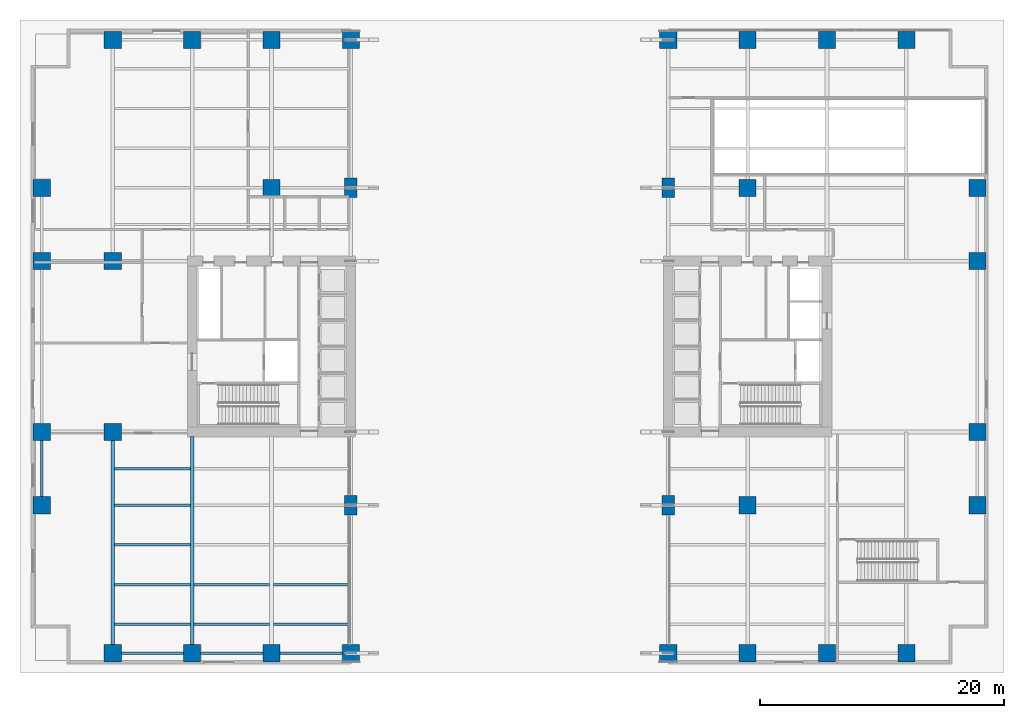
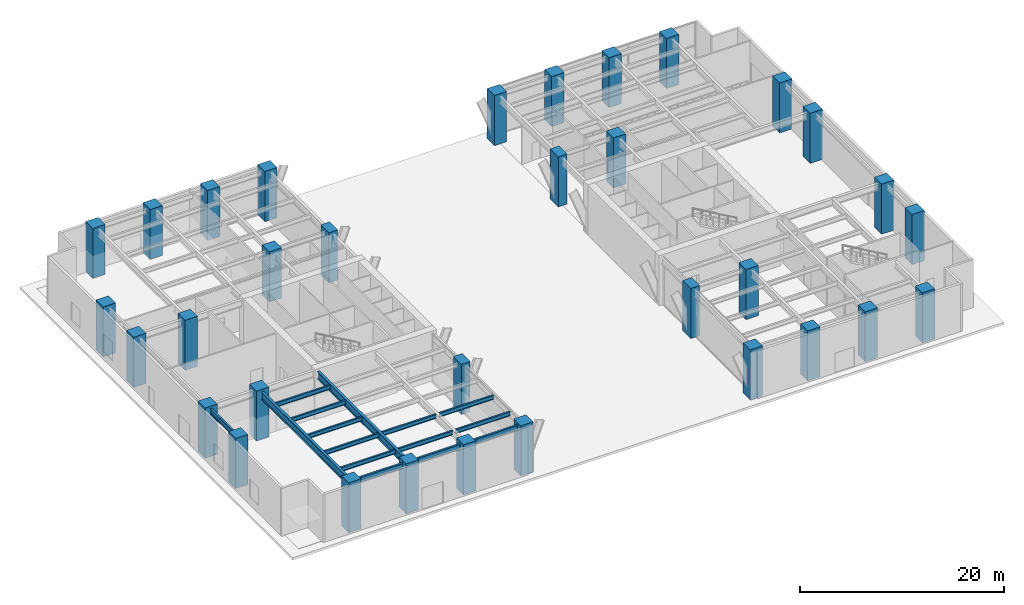
# One storey, part 1 of 20: 33 columns, 15 beams.
"""IFC4 building model written with IfcOpenShell, lengths in metres."""

from ifc_helpers import new_model, si_unit, direction, frame, origin, origin_2d, place, context, subcontext, project, spatial, rectangle, i_section, extrude, material, material_profile, profile_set, type_object, element, save


model = new_model("IFC4")

# Units and contexts
model_context = context("Model", 3, precision=1e-05, world=origin(), true_north=direction((0.0, 1.0)))
body_context = subcontext(model_context, "Body", "Model", "MODEL_VIEW")
ifc_project = project(units=[si_unit("LENGTHUNIT", "METRE"), si_unit("AREAUNIT", "SQUARE_METRE"), si_unit("VOLUMEUNIT", "CUBIC_METRE"), si_unit("PLANEANGLEUNIT", "RADIAN"), si_unit("MASSUNIT", "GRAM", prefix="KILO")], contexts=[model_context])

# Site, building, storey
site_placement = place(None, origin())
site = spatial("IfcSite", under=ifc_project, at=site_placement, CompositionType="ELEMENT")
building_placement = place(site_placement, origin())
building = spatial("IfcBuilding", under=site, at=building_placement, Name="Putna Gate Headquarters", CompositionType="ELEMENT")
storey_placement = place(building_placement, origin())
storey = spatial("IfcBuildingStorey", under=building, at=storey_placement, Name="L00", CompositionType="ELEMENT", Elevation=0.0)

# Columns
ifc_material_1 = material(Name="Concrete C60/75", Category="concrete")
ifc_material_profile_1 = material_profile(ifc_material_1, rectangle(XDim=1.0, YDim=1.60009765625, at=origin_2d()), Name="Concrete C60/75")
ifc_profile_set_1 = profile_set([ifc_material_profile_1], Name="Concrete C60/75")
column_type_1 = type_object("IfcColumnType", Name="COL-PILASTER-1600", PredefinedType="PILASTER", material=ifc_profile_set_1)
for number, where, z_axis, x_axis, name in (
    (1, (26.0, 13.0, 0.0), (0.0, 0.0, 1.0), (1.0, 0.0, 0.0), "L00 Column CAP-WS"),
    (2, (26.0, 39.0, 0.0), (0.0, 0.0, 1.0), (1.0, 0.0, 0.0), "L00 Column CAP-WN"),
    (3, (52.0, 13.0, 0.0), (0.0, 0.0, 1.0), (1.0, 0.0, 0.0), "L00 Column CAP-ES"),
    (4, (52.0, 39.0, 0.0), (0.0, 0.0, 1.0), (1.0, 0.0, 0.0), "L00 Column CAP-EN"),
):
    element("IfcColumn", number, at=place(storey_placement, frame(where, z_axis=z_axis, x_axis=x_axis)), inside=storey, type_object=column_type_1, Name=name, PredefinedType="PILASTER", context=body_context, shape_type="SweptSolid", body=[
        extrude(rectangle(XDim=1.0, YDim=1.60009765625, at=origin_2d()), origin(), (0.0, 0.0, 1.0), 6.0),
    ])
ifc_material_profile_2 = material_profile(ifc_material_1, rectangle(XDim=1.39990234375, YDim=1.39990234375, at=origin_2d()), Name="Concrete C60/75")
ifc_profile_set_2 = profile_set([ifc_material_profile_2], Name="Concrete C60/75")
column_type_2 = type_object("IfcColumnType", Name="COL-RC1400-EXT", PredefinedType="COLUMN", material=ifc_profile_set_2)
for number, where, z_axis, x_axis, name in (
    (5, (6.5, 0.8798828125, 0.0), (0.0, 0.0, 1.0), (1.0, 0.0, 0.0), "L00 Column CP-S6"),
    (6, (6.5, 51.1201171875, 0.0), (0.0, 0.0, 1.0), (1.0, 0.0, 0.0), "L00 Column CP-N6"),
    (7, (13.0, 0.8798828125, 0.0), (0.0, 0.0, 1.0), (1.0, 0.0, 0.0), "L00 Column CP-S13"),
    (8, (13.0, 51.1201171875, 0.0), (0.0, 0.0, 1.0), (1.0, 0.0, 0.0), "L00 Column CP-N13"),
    (9, (19.5, 0.8798828125, 0.0), (0.0, 0.0, 1.0), (1.0, 0.0, 0.0), "L00 Column CP-S19"),
    (10, (19.5, 51.1201171875, 0.0), (0.0, 0.0, 1.0), (1.0, 0.0, 0.0), "L00 Column CP-N19"),
    (11, (26.0, 0.8798828125, 0.0), (0.0, 0.0, 1.0), (1.0, 0.0, 0.0), "L00 Column CP-S26"),
    (12, (26.0, 51.1201171875, 0.0), (0.0, 0.0, 1.0), (1.0, 0.0, 0.0), "L00 Column CP-N26"),
    (13, (52.0, 0.8798828125, 0.0), (0.0, 0.0, 1.0), (1.0, 0.0, 0.0), "L00 Column CP-S52"),
    (14, (52.0, 51.1201171875, 0.0), (0.0, 0.0, 1.0), (1.0, 0.0, 0.0), "L00 Column CP-N52"),
    (15, (58.5, 0.8798828125, 0.0), (0.0, 0.0, 1.0), (1.0, 0.0, 0.0), "L00 Column CP-S58"),
    (16, (58.5, 51.1201171875, 0.0), (0.0, 0.0, 1.0), (1.0, 0.0, 0.0), "L00 Column CP-N58"),
    (17, (65.0, 0.8798828125, 0.0), (0.0, 0.0, 1.0), (1.0, 0.0, 0.0), "L00 Column CP-S65"),
    (18, (65.0, 51.1201171875, 0.0), (0.0, 0.0, 1.0), (1.0, 0.0, 0.0), "L00 Column CP-N65"),
    (19, (71.5, 0.8798828125, 0.0), (0.0, 0.0, 1.0), (1.0, 0.0, 0.0), "L00 Column CP-S71"),
    (20, (71.5, 51.1201171875, 0.0), (0.0, 0.0, 1.0), (1.0, 0.0, 0.0), "L00 Column CP-N71"),
    (21, (0.679931640625, 13.0, 0.0), (0.0, 0.0, 1.0), (1.0, 0.0, 0.0), "L00 Column CP-W13"),
    (22, (77.320068359375, 13.0, 0.0), (0.0, 0.0, 1.0), (1.0, 0.0, 0.0), "L00 Column CP-E13"),
    (23, (0.679931640625, 19.0, 0.0), (0.0, 0.0, 1.0), (1.0, 0.0, 0.0), "L00 Column CP-W19"),
    (24, (77.320068359375, 19.0, 0.0), (0.0, 0.0, 1.0), (1.0, 0.0, 0.0), "L00 Column CP-E19"),
    (25, (0.679931640625, 33.0, 0.0), (0.0, 0.0, 1.0), (1.0, 0.0, 0.0), "L00 Column CP-W33"),
    (26, (77.320068359375, 33.0, 0.0), (0.0, 0.0, 1.0), (1.0, 0.0, 0.0), "L00 Column CP-E33"),
    (27, (0.679931640625, 39.0, 0.0), (0.0, 0.0, 1.0), (1.0, 0.0, 0.0), "L00 Column CP-W39"),
    (28, (77.320068359375, 39.0, 0.0), (0.0, 0.0, 1.0), (1.0, 0.0, 0.0), "L00 Column CP-E39"),
):
    element("IfcColumn", number, at=place(storey_placement, frame(where, z_axis=z_axis, x_axis=x_axis)), inside=storey, type_object=column_type_2, Name=name, PredefinedType="COLUMN", context=body_context, shape_type="SweptSolid", body=[
        extrude(rectangle(XDim=1.39990234375, YDim=1.39990234375, at=origin_2d()), origin(), (0.0, 0.0, 1.0), 6.0),
    ])
ifc_material_profile_3 = material_profile(ifc_material_1, rectangle(XDim=1.39990234375, YDim=1.39990234375, at=origin_2d()), Name="Concrete C60/75")
ifc_profile_set_3 = profile_set([ifc_material_profile_3], Name="Concrete C60/75")
column_type_3 = type_object("IfcColumnType", Name="COL-RC1400-INT", PredefinedType="COLUMN", material=ifc_profile_set_3)
for number, where, z_axis, x_axis, name in (
    (29, (19.5, 39.0, 0.0), (0.0, 0.0, 1.0), (1.0, 0.0, 0.0), "L00 Column CSI-WN"),
    (30, (58.5, 13.0, 0.0), (0.0, 0.0, 1.0), (1.0, 0.0, 0.0), "L00 Column CSI-ES"),
    (31, (58.5, 39.0, 0.0), (0.0, 0.0, 1.0), (1.0, 0.0, 0.0), "L00 Column CSI-EN"),
    (32, (6.5, 19.0, 0.0), (0.0, 0.0, 1.0), (1.0, 0.0, 0.0), "L00 Column CSI-WM"),
    (33, (6.5, 33.0, 0.0), (0.0, 0.0, 1.0), (1.0, 0.0, 0.0), "L00 Column CSI-WNW"),
):
    element("IfcColumn", number, at=place(storey_placement, frame(where, z_axis=z_axis, x_axis=x_axis)), inside=storey, type_object=column_type_3, Name=name, PredefinedType="COLUMN", context=body_context, shape_type="SweptSolid", body=[
        extrude(rectangle(XDim=1.39990234375, YDim=1.39990234375, at=origin_2d()), origin(), (0.0, 0.0, 1.0), 6.0),
    ])

# Beams
ifc_material_2 = material(Name="Steel S355J2", Category="steel")
ifc_material_profile_4 = material_profile(ifc_material_2, i_section(OverallWidth=0.300048828125, OverallDepth=0.89990234375, WebThickness=0.0185546875, FlangeThickness=0.034912109375, at=origin_2d()), Name="Steel S355J2")
ifc_profile_set_4 = profile_set([ifc_material_profile_4], Name="Steel S355J2")
beam_type_1 = type_object("IfcBeamType", Name="BM-SEC-AUD-HEB900", PredefinedType="USERDEFINED", material=ifc_profile_set_4)
beam_1_placement = place(storey_placement, frame((6.5, 1.568115234375, 5.27001953125), z_axis=(0.0, 1.0, 0.0), x_axis=(-1.0, 0.0, 0.0)))
element("IfcBeam", 34, at=beam_1_placement, inside=storey, type_object=beam_type_1, Name="L00 South Primary Girder X6", ObjectType="GIRDER", PredefinedType="USERDEFINED", context=body_context, shape_type="SweptSolid", body=[
    extrude(i_section(OverallWidth=0.300048828125, OverallDepth=0.89990234375, WebThickness=0.0185546875, FlangeThickness=0.034912109375, at=origin_2d()), origin(), (0.0, 0.0, 1.0), 16.743896484375),
])
beam_2_placement = place(storey_placement, frame((13.0, 1.568115234375, 5.27001953125), z_axis=(0.0, 1.0, 0.0), x_axis=(-1.0, 0.0, 0.0)))
element("IfcBeam", 35, at=beam_2_placement, inside=storey, type_object=beam_type_1, Name="L00 South Primary Girder X13", ObjectType="GIRDER", PredefinedType="USERDEFINED", context=body_context, shape_type="SweptSolid", body=[
    extrude(i_section(OverallWidth=0.300048828125, OverallDepth=0.89990234375, WebThickness=0.0185546875, FlangeThickness=0.034912109375, at=origin_2d()), origin(), (0.0, 0.0, 1.0), 17.046875),
])
ifc_material_profile_5 = material_profile(ifc_material_2, i_section(OverallWidth=0.199951171875, OverallDepth=0.5, WebThickness=0.01025390625, FlangeThickness=0.01611328125, at=origin_2d()), Name="Steel S355J2")
ifc_profile_set_5 = profile_set([ifc_material_profile_5], Name="Steel S355J2")
beam_type_2 = type_object("IfcBeamType", Name="BM-SEC-P-IPE500", PredefinedType="BEAM", material=ifc_profile_set_5)
for number, where, z_axis, x_axis, name in (
    (36, (6.654052734375, 3.25, 5.469970703125), (1.0, 0.0, 0.0), (0.0, 1.0, 0.0), "L00 South Secondary Beam 1"),
    (37, (6.654052734375, 6.5, 5.469970703125), (1.0, 0.0, 0.0), (0.0, 1.0, 0.0), "L00 South Secondary Beam 1"),
    (38, (6.654052734375, 9.75, 5.469970703125), (1.0, 0.0, 0.0), (0.0, 1.0, 0.0), "L00 South Secondary Beam 1"),
    (39, (6.654052734375, 13.0, 5.469970703125), (1.0, 0.0, 0.0), (0.0, 1.0, 0.0), "L00 South Secondary Beam 1"),
    (40, (6.654052734375, 16.0, 5.469970703125), (1.0, 0.0, 0.0), (0.0, 1.0, 0.0), "L00 South Secondary Beam 1"),
    (41, (13.154052734375, 3.25, 5.469970703125), (1.0, 0.0, 0.0), (0.0, 1.0, 0.0), "L00 South Secondary Beam 2"),
    (42, (13.154052734375, 6.5, 5.469970703125), (1.0, 0.0, 0.0), (0.0, 1.0, 0.0), "L00 South Secondary Beam 2"),
    (43, (19.654052734375, 3.25, 5.469970703125), (1.0, 0.0, 0.0), (0.0, 1.0, 0.0), "L00 South Secondary Beam 3"),
    (44, (19.654052734375, 6.5, 5.469970703125), (1.0, 0.0, 0.0), (0.0, 1.0, 0.0), "L00 South Secondary Beam 3"),
):
    element("IfcBeam", number, at=place(storey_placement, frame(where, z_axis=z_axis, x_axis=x_axis)), inside=storey, type_object=beam_type_2, Name=name, PredefinedType="BEAM", context=body_context, shape_type="SweptSolid", body=[
        extrude(i_section(OverallWidth=0.199951171875, OverallDepth=0.5, WebThickness=0.01025390625, FlangeThickness=0.01611328125, at=origin_2d()), origin(), (0.0, 0.0, 1.0), 6.19189453125),
    ])
ifc_material_profile_6 = material_profile(ifc_material_2, i_section(OverallWidth=0.219970703125, OverallDepth=0.60009765625, WebThickness=0.011962890625, FlangeThickness=0.01904296875, at=origin_2d()), Name="Steel S355J2")
ifc_profile_set_6 = profile_set([ifc_material_profile_6], Name="Steel S355J2")
beam_type_3 = type_object("IfcBeamType", Name="BM-SPAN-P-IPE600", PredefinedType="SPANDREL", material=ifc_profile_set_6)
for number, where, z_axis, x_axis, name in (
    (45, (7.18798828125, 0.8798828125, 5.419921875), (1.0, 0.0, 0.0), (0.0, 1.0, 0.0), "L00 S Perimeter Spandrel 1"),
    (46, (13.68798828125, 0.8798828125, 5.419921875), (1.0, 0.0, 0.0), (0.0, 1.0, 0.0), "L00 S Perimeter Spandrel 2"),
    (47, (20.18798828125, 0.8798828125, 5.419921875), (1.0, 0.0, 0.0), (0.0, 1.0, 0.0), "L00 S Perimeter Spandrel 3"),
):
    element("IfcBeam", number, at=place(storey_placement, frame(where, z_axis=z_axis, x_axis=x_axis)), inside=storey, type_object=beam_type_3, Name=name, PredefinedType="SPANDREL", context=body_context, shape_type="SweptSolid", body=[
        extrude(i_section(OverallWidth=0.219970703125, OverallDepth=0.60009765625, WebThickness=0.011962890625, FlangeThickness=0.01904296875, at=origin_2d()), origin(), (0.0, 0.0, 1.0), 5.1240234375),
    ])
beam_3_placement = place(storey_placement, frame((0.679931640625, 13.68798828125, 5.419921875), z_axis=(0.0, 1.0, 0.0), x_axis=(-1.0, 0.0, 0.0)))
element("IfcBeam", 48, at=beam_3_placement, inside=storey, type_object=beam_type_3, Name="L00 W End Spandrel 1", PredefinedType="SPANDREL", context=body_context, shape_type="SweptSolid", body=[
    extrude(i_section(OverallWidth=0.219970703125, OverallDepth=0.60009765625, WebThickness=0.011962890625, FlangeThickness=0.01904296875, at=origin_2d()), origin(), (0.0, 0.0, 1.0), 4.6240234375),
])

save(model, "model.ifc")
